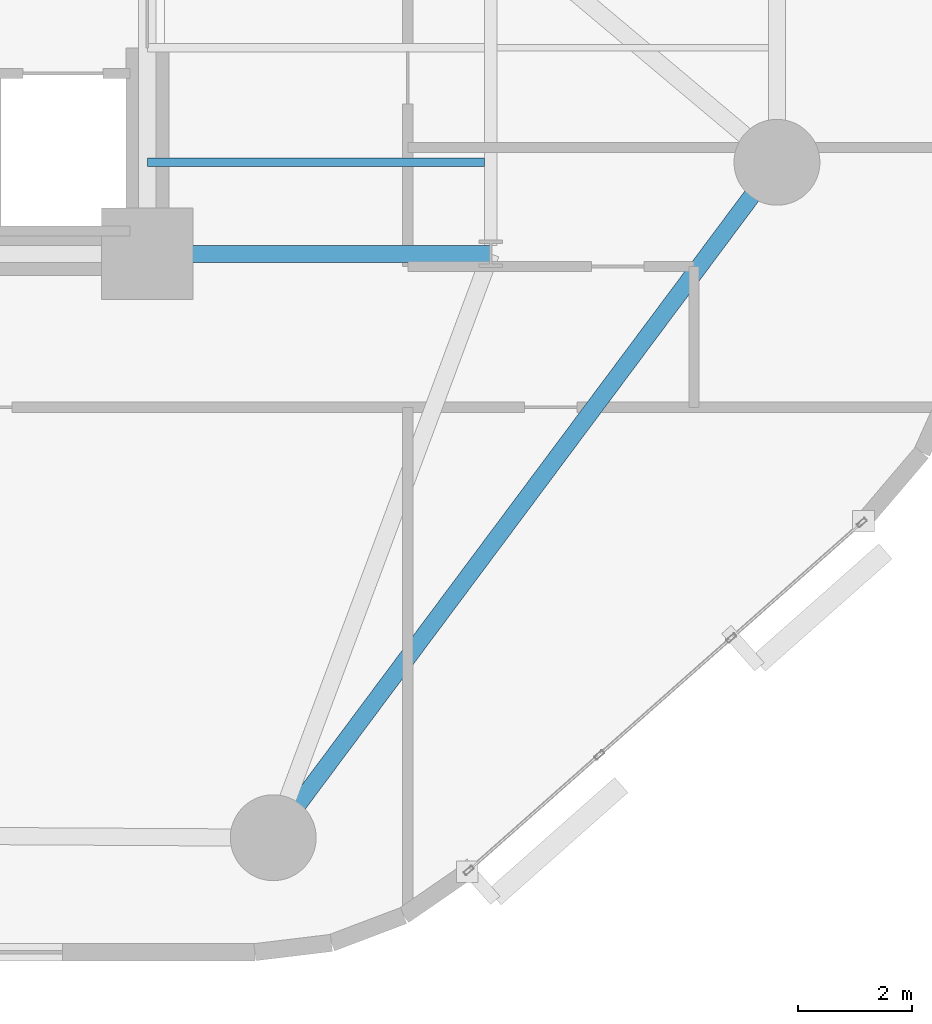
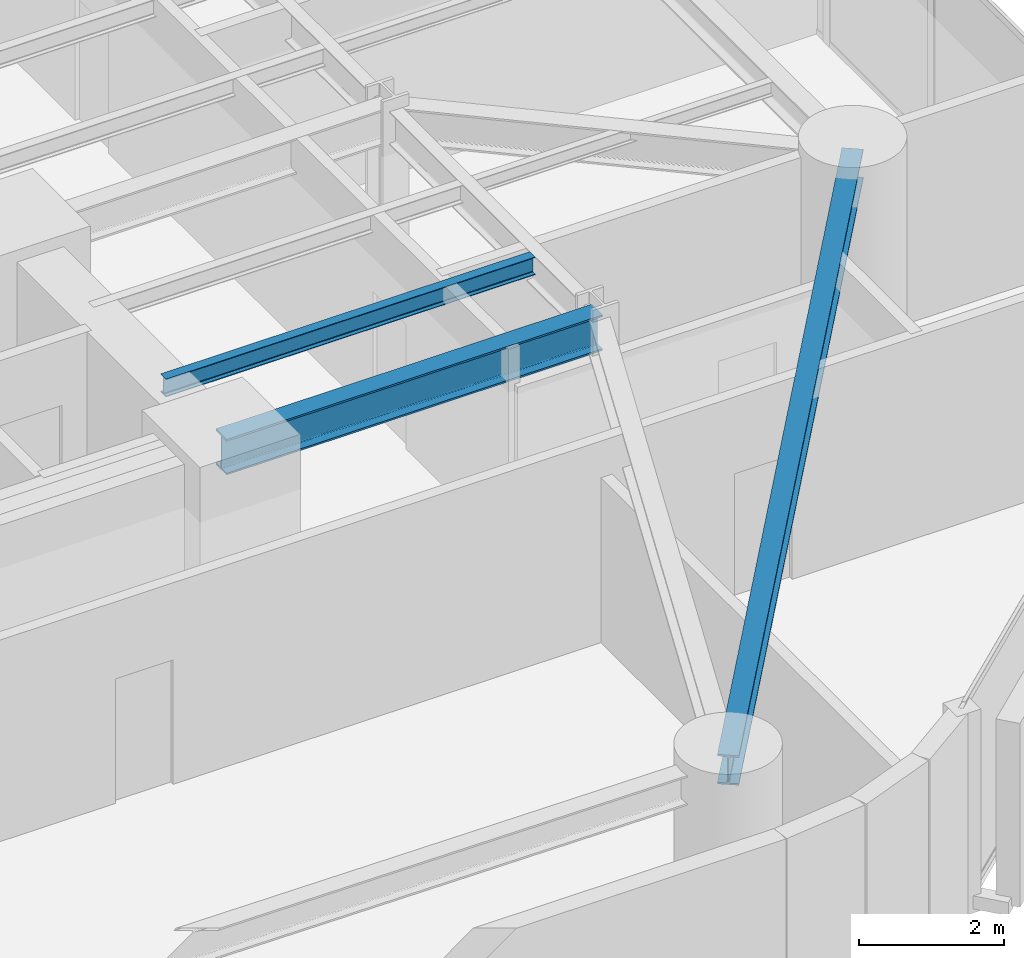
# One storey, part 3 of 16: 3 beams.
"""IFC4 building model written with IfcOpenShell, lengths in metres."""

from ifc_helpers import new_model, si_unit, direction, frame, origin, origin_2d, place, context, subcontext, project, spatial, i_section, extrude, material, material_profile, profile_set, type_object, element, save


model = new_model("IFC4")

# Units and contexts
model_context = context("Model", 3, precision=1e-05, world=origin(), true_north=direction((0.0, 1.0)))
body_context = subcontext(model_context, "Body", "Model", "MODEL_VIEW")
ifc_project = project(units=[si_unit("LENGTHUNIT", "METRE"), si_unit("AREAUNIT", "SQUARE_METRE"), si_unit("VOLUMEUNIT", "CUBIC_METRE"), si_unit("PLANEANGLEUNIT", "RADIAN"), si_unit("MASSUNIT", "GRAM", prefix="KILO")], contexts=[model_context])

# Site, building, storey
site_placement = place(None, origin())
site = spatial("IfcSite", under=ifc_project, at=site_placement, CompositionType="ELEMENT")
building_placement = place(site_placement, origin())
building = spatial("IfcBuilding", under=site, at=building_placement, Name="An Khanh Terracotta Commons", CompositionType="ELEMENT")
storey_placement = place(building_placement, frame((0.0, 0.0, 39.60009765625)))
storey = spatial("IfcBuildingStorey", under=building, at=storey_placement, Name="L10", CompositionType="ELEMENT", Elevation=39.60009765625)

# Beams
ifc_material = material(Name="Steel S355J2", Category="steel")
ifc_material_profile_1 = material_profile(ifc_material, i_section(OverallWidth=0.300048828125, OverallDepth=0.5, WebThickness=0.014404296875, FlangeThickness=0.028076171875, FilletRadius=0.027099609375, at=origin_2d()), Name="HEB500")
ifc_profile_set_1 = profile_set([ifc_material_profile_1], Name="Steel S355J2")
beam_type_1 = type_object("IfcBeamType", Name="BM-HEB500", PredefinedType="BEAM", material=ifc_profile_set_1)
beam_1_placement = place(storey_placement, frame((39.39990234375, 4.199951171875, 3.14990234375), z_axis=(0.59782442166, 0.801627070942, 0.0), x_axis=(-0.801627070942, 0.59782442166, 0.0)))
element("IfcBeam", 1, at=beam_1_placement, inside=storey, type_object=beam_type_1, Name="L10 Perimeter Ring Spandrel 2", PredefinedType="BEAM", context=body_context, shape_type="SweptSolid", body=[
    extrude(i_section(OverallWidth=0.300048828125, OverallDepth=0.5, WebThickness=0.014404296875, FlangeThickness=0.028076171875, FilletRadius=0.027099609375, at=origin_2d()), origin(), (0.0, 0.0, 1.0), 14.72021484375),
])
ifc_material_profile_2 = material_profile(ifc_material, i_section(OverallWidth=0.300048828125, OverallDepth=0.60009765625, WebThickness=0.015380859375, FlangeThickness=0.030029296875, FilletRadius=0.027099609375, at=origin_2d()), Name="HEB600")
ifc_profile_set_2 = profile_set([ifc_material_profile_2], Name="Steel S355J2")
beam_type_2 = type_object("IfcBeamType", Name="BM-HEB600", PredefinedType="BEAM", material=ifc_profile_set_2)
beam_2_placement = place(storey_placement, frame((37.199951171875, 14.39990234375, 3.099853515625), z_axis=(1.0, 0.0, 0.0), x_axis=(0.0, 1.0, 0.0)))
element("IfcBeam", 2, at=beam_2_placement, inside=storey, type_object=beam_type_2, Name="L10 East Primary Floor Girder 1", PredefinedType="BEAM", context=body_context, shape_type="SweptSolid", body=[
    extrude(i_section(OverallWidth=0.300048828125, OverallDepth=0.60009765625, WebThickness=0.015380859375, FlangeThickness=0.030029296875, FilletRadius=0.027099609375, at=origin_2d()), origin(), (0.0, 0.0, 1.0), 6.0),
])
ifc_material_profile_3 = material_profile(ifc_material, i_section(OverallWidth=0.14990234375, OverallDepth=0.300048828125, WebThickness=0.007080078125, FlangeThickness=0.0107421875, FilletRadius=0.014892578125, at=origin_2d()), Name="IPE300")
ifc_profile_set_3 = profile_set([ifc_material_profile_3], Name="Steel S355J2")
beam_type_3 = type_object("IfcBeamType", Name="BM-IPE300", PredefinedType="JOIST", material=ifc_profile_set_3)
beam_3_placement = place(storey_placement, frame((37.199951171875, 16.0, 3.25), z_axis=(1.0, 0.0, 0.0), x_axis=(0.0, 1.0, 0.0)))
element("IfcBeam", 3, at=beam_3_placement, inside=storey, type_object=beam_type_3, Name="L10 Inboard Composite Joist 1", PredefinedType="JOIST", context=body_context, shape_type="SweptSolid", body=[
    extrude(i_section(OverallWidth=0.14990234375, OverallDepth=0.300048828125, WebThickness=0.007080078125, FlangeThickness=0.0107421875, FilletRadius=0.014892578125, at=origin_2d()), origin(), (0.0, 0.0, 1.0), 5.89501953125),
])

save(model, "model.ifc")
